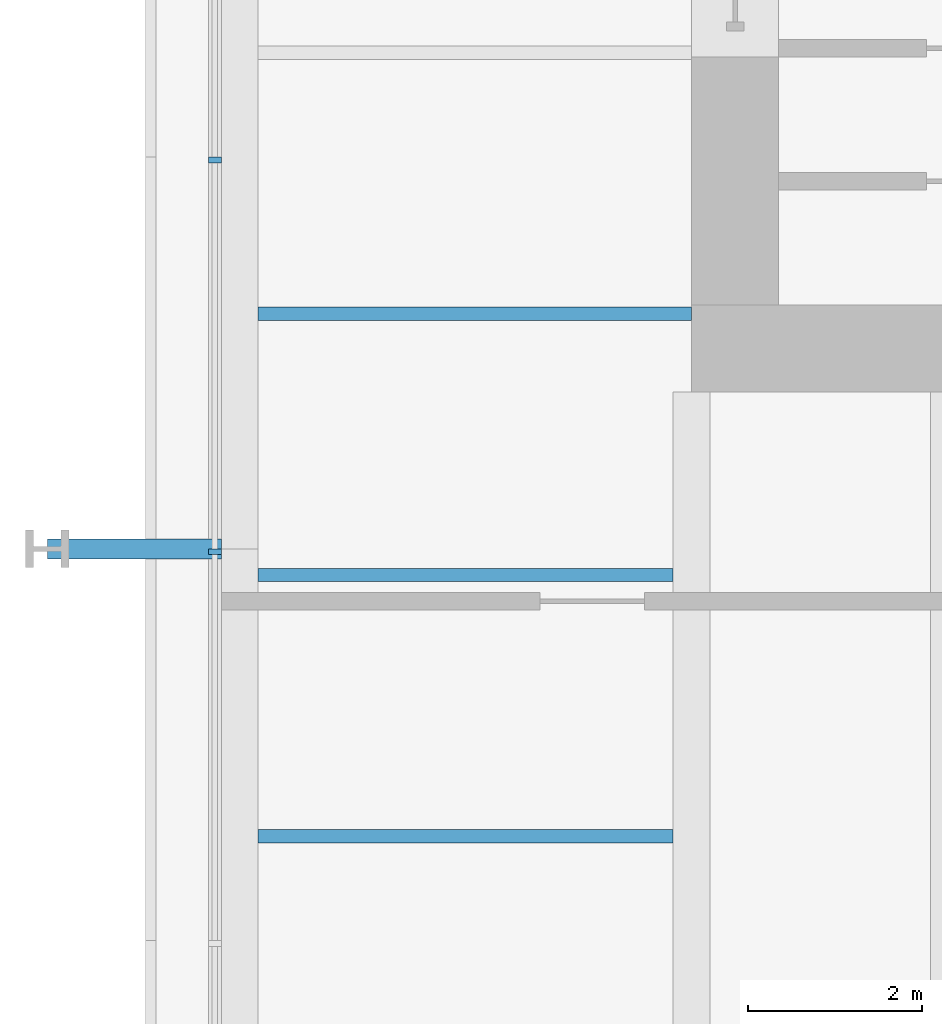
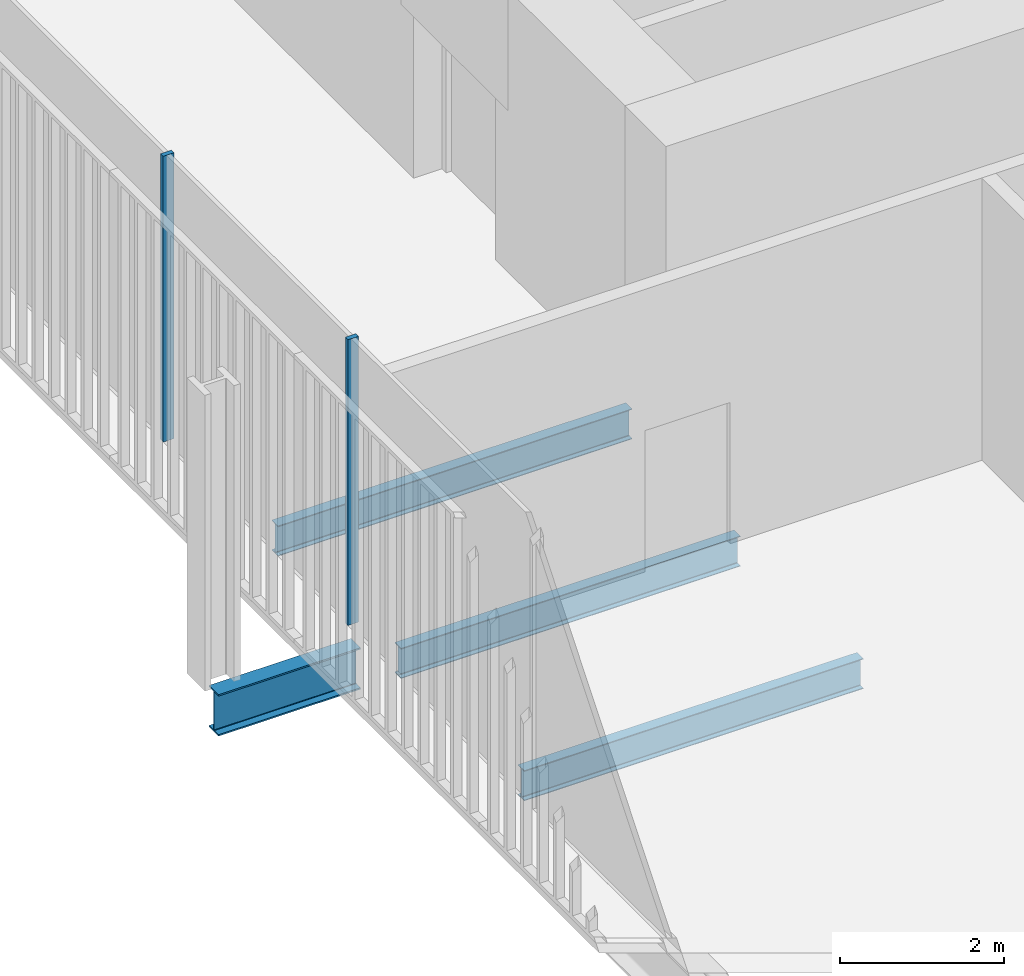
# One storey, part 5 of 20: 4 beams, 2 members, 1 element without a shape of its own.
"""IFC4 building model written with IfcOpenShell, lengths in metres."""

from ifc_helpers import new_model, si_unit, direction, frame, origin, origin_2d, place, context, subcontext, project, spatial, rectangle, i_section, extrude, material, layer, layer_set, material_profile, profile_set, type_object, element, aggregate, save


model = new_model("IFC4")

# Units and contexts
model_context = context("Model", 3, precision=1e-05, world=origin(), true_north=direction((0.0, 1.0)))
body_context = subcontext(model_context, "Body", "Model", "MODEL_VIEW")
ifc_project = project(units=[si_unit("LENGTHUNIT", "METRE"), si_unit("AREAUNIT", "SQUARE_METRE"), si_unit("VOLUMEUNIT", "CUBIC_METRE"), si_unit("PLANEANGLEUNIT", "RADIAN"), si_unit("MASSUNIT", "GRAM", prefix="KILO")], contexts=[model_context])

# Site, building, storey
site_placement = place(None, origin())
site = spatial("IfcSite", under=ifc_project, at=site_placement, CompositionType="ELEMENT")
building_placement = place(site_placement, origin())
building = spatial("IfcBuilding", under=site, at=building_placement, Name="Millrace Tower", CompositionType="ELEMENT")
storey_placement = place(building_placement, frame((0.0, 0.0, 99.60009765625)))
storey = spatial("IfcBuildingStorey", under=building, at=storey_placement, Name="L22", CompositionType="ELEMENT", Elevation=99.60009765625)

# Curtain wall, members
ifc_material_1 = material(Name="Aluminium and glass", Category="aluminium")
ifc_layer = layer(ifc_material_1, 0.14990234375)
ifc_layer_set = layer_set([ifc_layer], Name="Aluminium and glass")
curtain_wall_type = type_object("IfcCurtainWallType", Name="CW-3 telecom floor curtain wall", PredefinedType="NOTDEFINED", material=ifc_layer_set)
curtain_wall_placement = place(storey_placement, origin())
curtain_wall = element("IfcCurtainWall", 1, at=curtain_wall_placement, inside=storey, type_object=curtain_wall_type, Name="Curtain wall B-F08 L22", PredefinedType="NOTDEFINED")
ifc_material_2 = material(Name="Aluminium", Category="aluminium")
ifc_material_profile_1 = material_profile(ifc_material_2, rectangle(XDim=0.06494140625, YDim=0.14990234375, at=origin_2d()))
ifc_profile_set_1 = profile_set([ifc_material_profile_1], Name="Aluminium")
member_type = type_object("IfcMemberType", Name="CW-3 telecom floor curtain wall mullion", PredefinedType="MULLION", material=ifc_profile_set_1)
member_1_placement = place(storey_placement, frame((-20.375, -7.232421875, 0.14990234375), z_axis=(0.0, 0.0, 1.0), x_axis=(0.0, -1.0, 0.0)))
member_1 = element("IfcMember", 2, at=member_1_placement, type_object=member_type, Name="CW3 mullion B-F08.6", PredefinedType="MULLION", context=body_context, shape_type="SweptSolid", body=[
    extrude(rectangle(XDim=0.06494140625, YDim=0.14990234375, at=origin_2d()), origin(), (0.0, 0.0, 1.0), 4.25),
])
member_2_placement = place(storey_placement, frame((-20.375, -11.732421875, 0.14990234375), z_axis=(0.0, 0.0, 1.0), x_axis=(0.0, -1.0, 0.0)))
member_2 = element("IfcMember", 3, at=member_2_placement, type_object=member_type, Name="CW3 mullion B-F08.7", PredefinedType="MULLION", context=body_context, shape_type="SweptSolid", body=[
    extrude(rectangle(XDim=0.06494140625, YDim=0.14990234375, at=origin_2d()), origin(), (0.0, 0.0, 1.0), 4.25),
])
aggregate(curtain_wall, [member_1, member_2])

# Beams
ifc_material_3 = material(Name="Steel ASTM A992 Grade 50", Category="steel")
ifc_material_profile_2 = material_profile(ifc_material_3, i_section(OverallWidth=0.15234375, OverallDepth=0.449462890625, WebThickness=0.007568359375, FlangeThickness=0.0107421875, FilletRadius=0.01025390625, at=origin_2d()))
ifc_profile_set_2 = profile_set([ifc_material_profile_2], Name="Steel ASTM A992 Grade 50")
beam_type_1 = type_object("IfcBeamType", Name="Floor beam W18x35", PredefinedType="JOIST", material=ifc_profile_set_2)
for number, where, z_axis, x_axis, name in (
    (4, (-19.880859375, -15.0, -0.4248046875), (1.0, 0.0, 0.0), (0.0, 1.0, 0.0), "BM-B-L22-S1-S009"),
    (5, (-19.880859375, -12.0, -0.4248046875), (1.0, 0.0, 0.0), (0.0, 1.0, 0.0), "BM-B-L22-S1-S011"),
):
    element("IfcBeam", number, at=place(storey_placement, frame(where, z_axis=z_axis, x_axis=x_axis)), inside=storey, type_object=beam_type_1, Name=name, PredefinedType="JOIST", context=body_context, shape_type="SweptSolid", body=[
        extrude(i_section(OverallWidth=0.15234375, OverallDepth=0.449462890625, WebThickness=0.007568359375, FlangeThickness=0.0107421875, FilletRadius=0.01025390625, at=origin_2d()), origin(), (0.0, 0.0, 1.0), 4.77001953125),
    ])
beam_1_placement = place(storey_placement, frame((-19.880859375, -9.0, -0.4248046875), z_axis=(1.0, 0.0, 0.0), x_axis=(0.0, 1.0, 0.0)))
element("IfcBeam", 6, at=beam_1_placement, inside=storey, type_object=beam_type_1, Name="BM-B-L22-S1-S014", PredefinedType="JOIST", context=body_context, shape_type="SweptSolid", body=[
    extrude(i_section(OverallWidth=0.15234375, OverallDepth=0.449462890625, WebThickness=0.007568359375, FlangeThickness=0.0107421875, FilletRadius=0.01025390625, at=origin_2d()), origin(), (0.0, 0.0, 1.0), 4.98095703125),
])
ifc_material_4 = material(Name="Steel ASTM A992 Grade 50", Category="steel")
ifc_material_profile_3 = material_profile(ifc_material_4, i_section(OverallWidth=0.23046875, OverallDepth=0.6171875, WebThickness=0.01318359375, FlangeThickness=0.022216796875, FilletRadius=0.012939453125, at=origin_2d()))
ifc_profile_set_3 = profile_set([ifc_material_profile_3], Name="Steel ASTM A992 Grade 50")
beam_type_2 = type_object("IfcBeamType", Name="Link beam W24x94", PredefinedType="BEAM", material=ifc_profile_set_3)
beam_2_placement = place(storey_placement, frame((-20.300048828125, -11.699951171875, -0.5087890625), z_axis=(-1.0, 0.0, 0.0), x_axis=(0.0, -1.0, 0.0)))
element("IfcBeam", 7, at=beam_2_placement, inside=storey, type_object=beam_type_2, Name="LNK-B-L22-S1-02", PredefinedType="BEAM", context=body_context, shape_type="SweptSolid", body=[
    extrude(i_section(OverallWidth=0.23046875, OverallDepth=0.6171875, WebThickness=0.01318359375, FlangeThickness=0.022216796875, FilletRadius=0.012939453125, at=origin_2d()), origin(), (0.0, 0.0, 1.0), 2.0),
])

save(model, "model.ifc")
